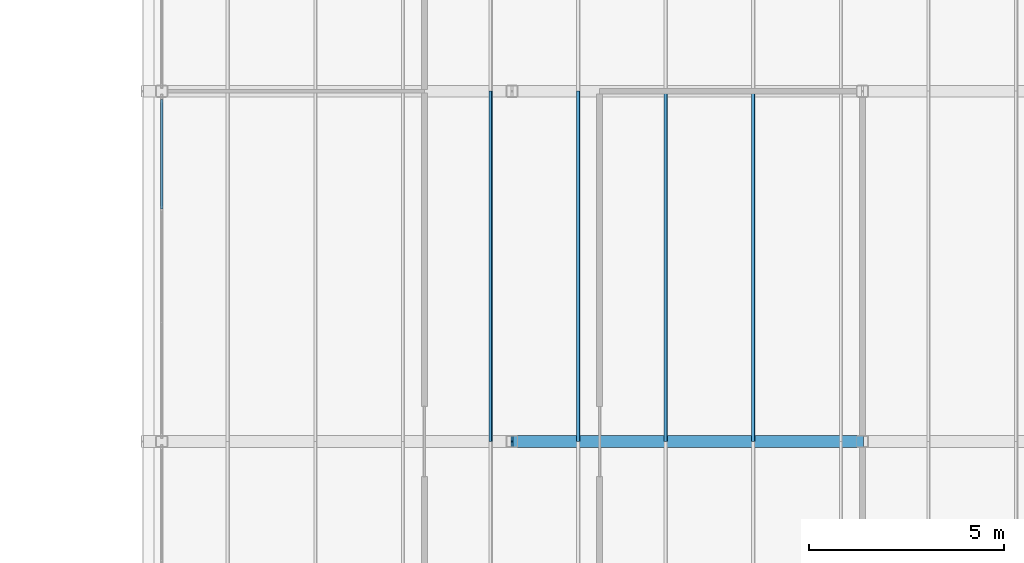
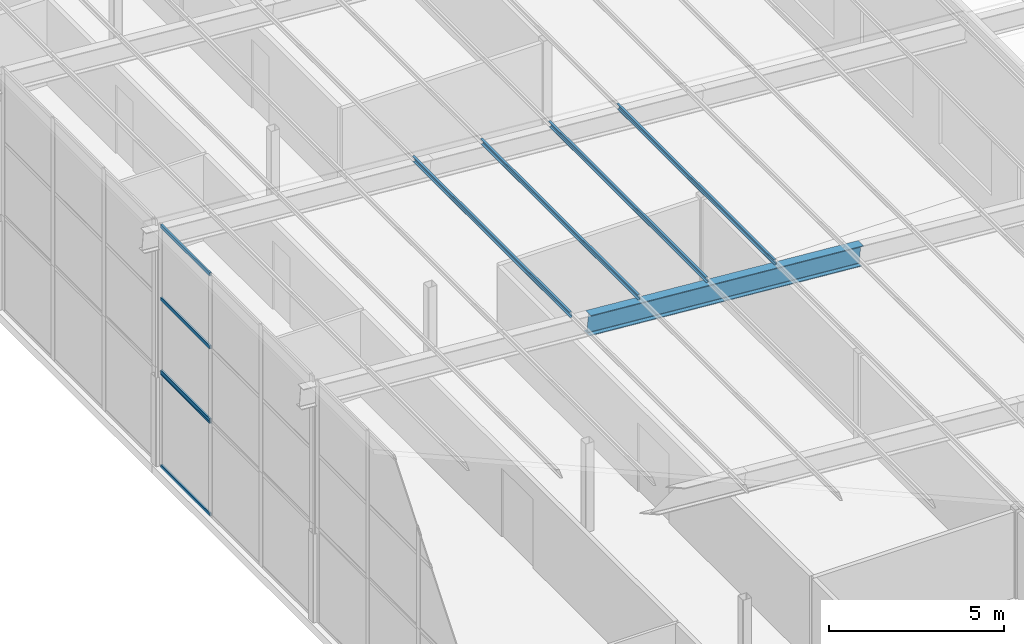
# One storey, part 34 of 85: 10 members, 2 elements without a shape of their own.
"""IFC4 building model written with IfcOpenShell, lengths in metres."""

from ifc_helpers import new_model, si_unit, direction, frame, origin, origin_2d, place, context, subcontext, project, spatial, polyline, hollow_rectangle, i_section, outline, extrude, material, layer, layer_set, material_profile, profile_set, type_object, element, aggregate, save


model = new_model("IFC4")

# Units and contexts
model_context = context("Model", 3, precision=1e-05, world=origin(), true_north=direction((0.0, 1.0)))
body_context = subcontext(model_context, "Body", "Model", "MODEL_VIEW")
ifc_project = project(units=[si_unit("LENGTHUNIT", "METRE"), si_unit("AREAUNIT", "SQUARE_METRE"), si_unit("VOLUMEUNIT", "CUBIC_METRE"), si_unit("PLANEANGLEUNIT", "RADIAN"), si_unit("MASSUNIT", "GRAM", prefix="KILO")], contexts=[model_context])

# Site, building, storey
site_placement = place(None, origin())
site = spatial("IfcSite", under=ifc_project, at=site_placement, CompositionType="ELEMENT")
building_placement = place(site_placement, origin())
building = spatial("IfcBuilding", under=site, at=building_placement, Name="Opaline Strait Convention Centre", CompositionType="ELEMENT")
storey_placement = place(building_placement, frame((0.0, 0.0, 17.0)))
storey = spatial("IfcBuildingStorey", under=building, at=storey_placement, Name="L03", CompositionType="ELEMENT", Elevation=17.0)

# Curtain wall, members
ifc_material_1 = material(Name="Aluminium framed double glazing", Category="aluminium")
ifc_layer = layer(ifc_material_1, 0.199951171875)
ifc_layer_set = layer_set([ifc_layer], Name="Aluminium framed double glazing")
curtain_wall_type = type_object("IfcCurtainWallType", Name="Curtain wall 3000 module unitised", PredefinedType="NOTDEFINED", material=ifc_layer_set)
curtain_wall_1_placement = place(storey_placement, origin())
curtain_wall_1 = element("IfcCurtainWall", 1, at=curtain_wall_1_placement, inside=storey, type_object=curtain_wall_type, Name="Curtain wall W L03 32/Q", PredefinedType="NOTDEFINED")
ifc_material_2 = material(Name="Aluminium alloy 6063", Category="aluminium")
ifc_material_profile_1 = material_profile(ifc_material_2, hollow_rectangle(XDim=0.06005859375, YDim=0.1201171875, WallThickness=0.0029296875, at=origin_2d()), Name="TRANSOM 60x120x3")
ifc_profile_set_1 = profile_set([ifc_material_profile_1], Name="Aluminium alloy 6063")
member_type_1 = type_object("IfcMemberType", Name="Curtain wall transom 60 x 120", PredefinedType="USERDEFINED", material=ifc_profile_set_1)
member_1_placement = place(storey_placement, frame((279.0, 131.97998046875, 0.030029296875), z_axis=(0.0, 1.0, 0.0), x_axis=(-1.0, 0.0, 0.0)))
member_1 = element("IfcMember", 2, at=member_1_placement, type_object=member_type_1, Name="MCWR1 transom 3.1", ObjectType="TRANSOM", PredefinedType="USERDEFINED", context=body_context, shape_type="SweptSolid", body=[
    extrude(hollow_rectangle(XDim=0.06005859375, YDim=0.1201171875, WallThickness=0.0029296875, at=origin_2d()), origin(), (0.0, 0.0, 1.0), 2.81005859375),
])
member_2_placement = place(storey_placement, frame((279.0, 131.97998046875, 3.27001953125), z_axis=(0.0, 1.0, 0.0), x_axis=(-1.0, 0.0, 0.0)))
member_2 = element("IfcMember", 3, at=member_2_placement, type_object=member_type_1, Name="MCWR1 transom 3.2", ObjectType="TRANSOM", PredefinedType="USERDEFINED", context=body_context, shape_type="SweptSolid", body=[
    extrude(hollow_rectangle(XDim=0.06005859375, YDim=0.1201171875, WallThickness=0.0029296875, at=origin_2d()), origin(), (0.0, 0.0, 1.0), 2.81005859375),
])
aggregate(curtain_wall_1, [member_1, member_2])

curtain_wall_2_placement = place(storey_placement, origin())
curtain_wall_2 = element("IfcCurtainWall", 4, at=curtain_wall_2_placement, inside=storey, type_object=curtain_wall_type, Name="Clerestory curtain wall W L03 32/Q", PredefinedType="NOTDEFINED")
member_3_placement = place(storey_placement, frame((279.0, 131.97998046875, 3.330078125), z_axis=(0.0, 1.0, 0.0), x_axis=(-1.0, 0.0, 0.0)))
member_3 = element("IfcMember", 5, at=member_3_placement, type_object=member_type_1, Name="MCWR1 transom 3.1", ObjectType="TRANSOM", PredefinedType="USERDEFINED", context=body_context, shape_type="SweptSolid", body=[
    extrude(hollow_rectangle(XDim=0.06005859375, YDim=0.1201171875, WallThickness=0.0029296875, at=origin_2d()), origin(), (0.0, 0.0, 1.0), 2.81005859375),
])
member_4_placement = place(storey_placement, frame((279.0, 131.97998046875, 5.872314453125), z_axis=(0.0, 1.0, 0.0), x_axis=(-1.0, 0.0, 0.0)))
member_4 = element("IfcMember", 6, at=member_4_placement, type_object=member_type_1, Name="MCWR1 transom 3.2", ObjectType="TRANSOM", PredefinedType="USERDEFINED", context=body_context, shape_type="SweptSolid", body=[
    extrude(hollow_rectangle(XDim=0.06005859375, YDim=0.1201171875, WallThickness=0.0029296875, at=origin_2d()), origin(), (0.0, 0.0, 1.0), 2.81005859375),
])
member_5_placement = place(storey_placement, frame((279.0, 131.97998046875, 8.414306640625), z_axis=(0.0, 1.0, 0.0), x_axis=(-1.0, 0.0, 0.0)))
member_5 = element("IfcMember", 7, at=member_5_placement, type_object=member_type_1, Name="MCWR1 transom 3.3", ObjectType="TRANSOM", PredefinedType="USERDEFINED", context=body_context, shape_type="SweptSolid", body=[
    extrude(hollow_rectangle(XDim=0.06005859375, YDim=0.1201171875, WallThickness=0.0029296875, at=origin_2d()), origin(), (0.0, 0.0, 1.0), 2.81005859375),
])
aggregate(curtain_wall_2, [member_3, member_4, member_5])

# Members
ifc_material_3 = material(Name="Steel Q355B", Category="steel")
ifc_material_profile_2 = material_profile(ifc_material_3, outline(polyline([(-0.034912109375, -0.10009765625), (0.034912109375, -0.10009765625), (0.034912109375, -0.080078125), (0.032470703125, -0.080078125), (0.032470703125, -0.097412109375), (-0.032470703125, -0.097412109375), (-0.032470703125, 0.097412109375), (0.032470703125, 0.097412109375), (0.032470703125, 0.080078125), (0.034912109375, 0.080078125), (0.034912109375, 0.10009765625), (-0.034912109375, 0.10009765625), (-0.034912109375, -0.10009765625)])), Name="C 200x70x20x2.5")
ifc_profile_set_2 = profile_set([ifc_material_profile_2], Name="Steel Q355B")
member_type_2 = type_object("IfcMemberType", Name="Roof purlin C 200x70x20x2.5", PredefinedType="PURLIN", material=ifc_profile_set_2)
for number, where, z_axis, x_axis, name in (
    (8, (294.199951171875, 126.0, 7.147705078125), (0.0, 1.0, 0.0), (-0.996917333733, 0.0, -0.078459095728), "MRP1 purlin W wing 145"),
    (9, (291.949951171875, 126.0, 7.324951171875), (0.0, 1.0, 0.0), (-0.996917333733, 0.0, -0.078459095728), "MRP1 purlin W wing 155"),
    (10, (289.699951171875, 126.0, 7.501953125), (0.0, 1.0, 0.0), (-0.996917333733, 0.0, -0.078459095728), "MRP1 purlin W wing 165"),
    (11, (287.449951171875, 126.0, 7.678955078125), (0.0, 1.0, 0.0), (-0.996917333733, 0.0, -0.078459095728), "MRP1 purlin W wing 175"),
):
    element("IfcMember", number, at=place(storey_placement, frame(where, z_axis=z_axis, x_axis=x_axis)), inside=storey, type_object=member_type_2, Name=name, PredefinedType="PURLIN", context=body_context, shape_type="SweptSolid", body=[
        extrude(outline(polyline([(-0.034912109375, -0.10009765625), (0.034912109375, -0.10009765625), (0.034912109375, -0.080078125), (0.032470703125, -0.080078125), (0.032470703125, -0.097412109375), (-0.032470703125, -0.097412109375), (-0.032470703125, 0.097412109375), (0.032470703125, 0.097412109375), (0.032470703125, 0.080078125), (0.034912109375, 0.080078125), (0.034912109375, 0.10009765625), (-0.034912109375, 0.10009765625), (-0.034912109375, -0.10009765625)])), origin(), (0.0, 0.0, 1.0), 9.0),
    ])
ifc_material_profile_3 = material_profile(ifc_material_3, i_section(OverallWidth=0.300048828125, OverallDepth=0.699951171875, WebThickness=0.012939453125, FlangeThickness=0.02392578125, FilletRadius=0.01806640625, at=origin_2d()), Name="HN 700x300x13x24")
ifc_profile_set_3 = profile_set([ifc_material_profile_3], Name="Steel Q355B")
member_type_3 = type_object("IfcMemberType", Name="Roof rafter HN 700x300x13x24", PredefinedType="RAFTER", material=ifc_profile_set_3)
member_6_placement = place(storey_placement, frame((288.0, 126.0, 7.184326171875), z_axis=(0.996917883079, 0.0, -0.078452115311), x_axis=(0.0, 1.0, 0.0)))
element("IfcMember", 12, at=member_6_placement, inside=storey, type_object=member_type_3, Name="MRR1 rafter y 126", PredefinedType="RAFTER", context=body_context, shape_type="SweptSolid", body=[
    extrude(i_section(OverallWidth=0.300048828125, OverallDepth=0.699951171875, WebThickness=0.012939453125, FlangeThickness=0.02392578125, FilletRadius=0.01806640625, at=origin_2d()), origin(), (0.0, 0.0, 1.0), 9.02783203125),
])

save(model, "model.ifc")
